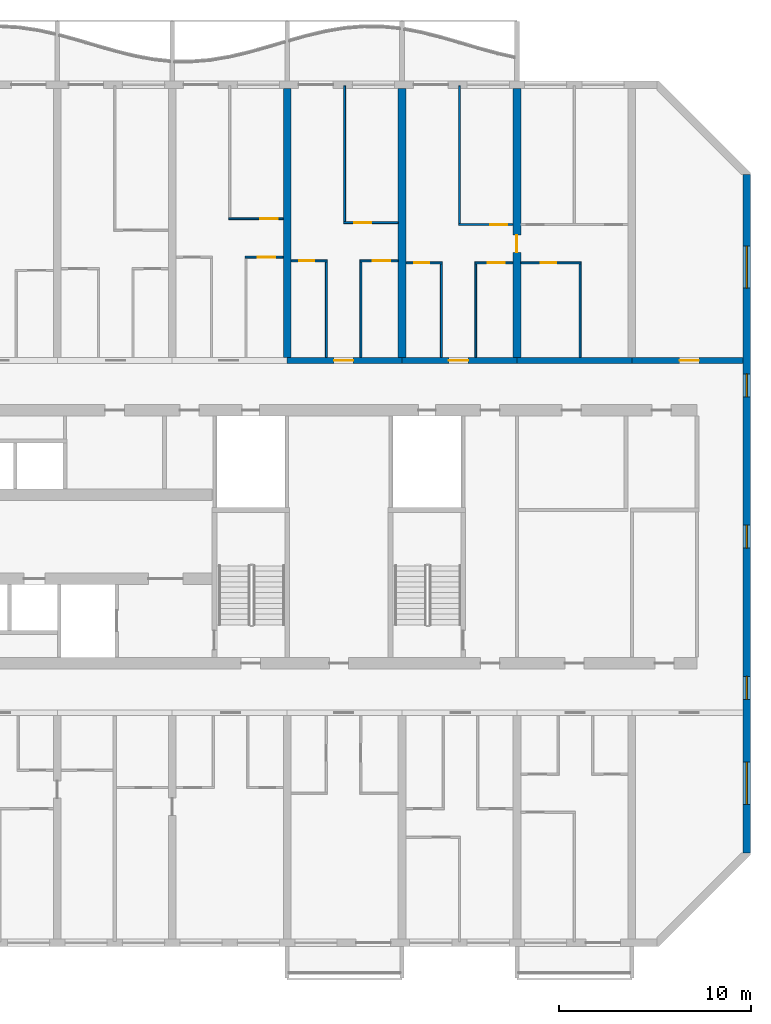
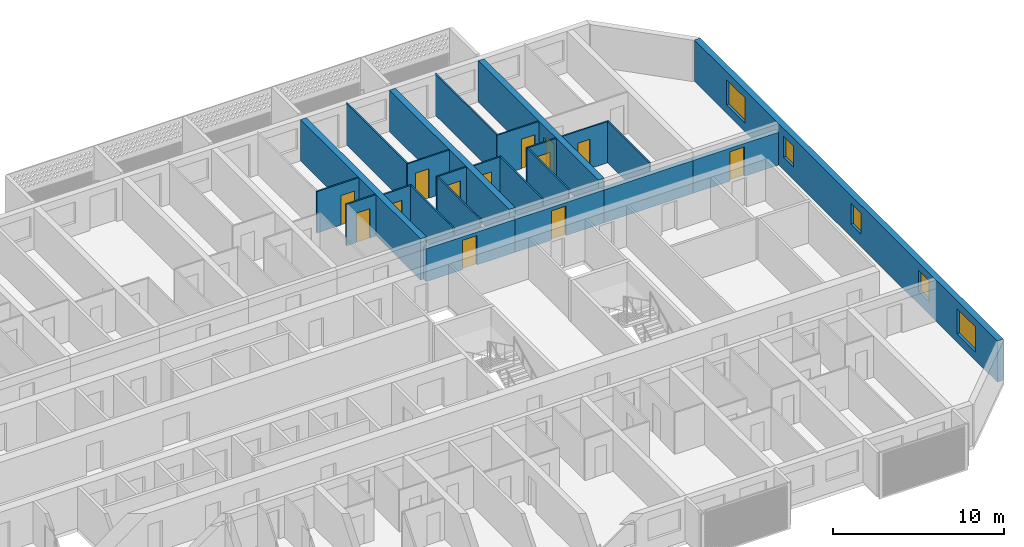
# One storey, part 15 of 39: 24 walls, 13 doors, 5 windows, 18 openings.
"""IFC4 building model written with IfcOpenShell, lengths in metres."""

from ifc_helpers import new_model, si_unit, direction, frame, frame_2d, origin, place, context, subcontext, project, spatial, rectangle, extrude, material, layer, layer_set, type_object, element, fill, save


model = new_model("IFC4")

# Units and contexts
model_context = context("Model", 3, precision=1e-05, world=origin(), true_north=direction((0.0, 1.0)))
body_context = subcontext(model_context, "Body", "Model", "MODEL_VIEW")
ifc_project = project(units=[si_unit("LENGTHUNIT", "METRE"), si_unit("AREAUNIT", "SQUARE_METRE"), si_unit("VOLUMEUNIT", "CUBIC_METRE"), si_unit("PLANEANGLEUNIT", "RADIAN"), si_unit("MASSUNIT", "GRAM", prefix="KILO")], contexts=[model_context])

# Site, building, storey
site_placement = place(None, origin())
site = spatial("IfcSite", under=ifc_project, at=site_placement, CompositionType="ELEMENT")
building_placement = place(site_placement, origin())
building = spatial("IfcBuilding", under=site, at=building_placement, Name="Poui Terraces", CompositionType="ELEMENT")
storey_placement = place(building_placement, frame((0.0, 0.0, 63.0)))
storey = spatial("IfcBuildingStorey", under=building, at=storey_placement, Name="L17", CompositionType="ELEMENT", Elevation=63.0)

# Wall, opening, door
ifc_material_1 = material(Name="Concrete 80 MPa", Category="concrete")
ifc_layer_1 = layer(ifc_material_1, 0.300048828125)
ifc_layer_set_1 = layer_set([ifc_layer_1], Name="Concrete 80 MPa")
wall_type_1 = type_object("IfcWallType", Name="CORRIDOR WALL 300 80MPa", PredefinedType="SHEAR", material=ifc_layer_set_1)
wall_1_placement = place(storey_placement, frame((72.0, 30.39990234375, 0.0), z_axis=(0.0, 0.0, 1.0), x_axis=(1.0, 0.0, 0.0)))
wall_1 = element("IfcWall", 1, at=wall_1_placement, inside=storey, type_object=wall_type_1, Name="CORRIDOR WALL LINE E BAY 12", PredefinedType="SHEAR", context=body_context, shape_type="SweptSolid", body=[
    extrude(rectangle(XDim=6.0, YDim=0.300048828125, at=frame_2d((3.0, 0.0))), origin(), (0.0, 0.0, 1.0), 2.35009765625),
])
opening_1_placement = place(wall_1_placement, frame((2.449951171875, 0.0, 0.0)))
opening_1 = element("IfcOpeningElement", 2, at=opening_1_placement, cuts=wall_1, Name="Opening FD30S", PredefinedType="OPENING", context=body_context, shape_type="SweptSolid", body=[
    extrude(rectangle(XDim=1.0, YDim=2.10009765625, at=frame_2d((0.5, 1.050048828125))), frame((0.0, 0.16015625, 0.0), z_axis=(0.0, -1.0, 0.0), x_axis=(1.0, 0.0, 0.0)), (0.0, 0.0, 1.0), 0.320068359375),
])
ifc_material_2 = material(Name="Steel fire door", Category="steel")
door_type_1 = type_object("IfcDoorType", Name="FLAT ENTRANCE DOOR 1000 X 2100", OperationType="NOTDEFINED", PredefinedType="DOOR", material=ifc_material_2)
door_1_placement = place(opening_1_placement, origin())
door_1 = element("IfcDoor", 3, at=door_1_placement, inside=storey, type_object=door_type_1, Name="FLAT ENTRANCE DOOR 072", OperationType="SINGLE_SWING_LEFT", OverallHeight=2.10009765625, OverallWidth=1.0, PredefinedType="DOOR", context=body_context, shape_type="SweptSolid", body=[
    extrude(rectangle(XDim=1.0, YDim=2.10009765625, at=frame_2d((0.5, 1.050048828125))), frame((0.0, 0.02490234375, 0.0), z_axis=(0.0, -1.0, 0.0), x_axis=(1.0, 0.0, 0.0)), (0.0, 0.0, 1.0), 0.050048828125),
])
fill(opening_1, door_1)

wall_2_placement = place(storey_placement, frame((78.0, 30.39990234375, 0.0), z_axis=(0.0, 0.0, 1.0), x_axis=(1.0, 0.0, 0.0)))
wall_2 = element("IfcWall", 4, at=wall_2_placement, inside=storey, type_object=wall_type_1, Name="CORRIDOR WALL LINE E BAY 13", PredefinedType="SHEAR", context=body_context, shape_type="SweptSolid", body=[
    extrude(rectangle(XDim=6.0, YDim=0.300048828125, at=frame_2d((3.0, 0.0))), origin(), (0.0, 0.0, 1.0), 2.35009765625),
])
opening_2_placement = place(wall_2_placement, frame((2.449951171875, 0.0, 0.0)))
opening_2 = element("IfcOpeningElement", 5, at=opening_2_placement, cuts=wall_2, Name="Opening FD30S", PredefinedType="OPENING", context=body_context, shape_type="SweptSolid", body=[
    extrude(rectangle(XDim=1.0, YDim=2.10009765625, at=frame_2d((0.5, 1.050048828125))), frame((0.0, 0.16015625, 0.0), z_axis=(0.0, -1.0, 0.0), x_axis=(1.0, 0.0, 0.0)), (0.0, 0.0, 1.0), 0.320068359375),
])
door_2_placement = place(opening_2_placement, origin())
door_2 = element("IfcDoor", 6, at=door_2_placement, inside=storey, type_object=door_type_1, Name="FLAT ENTRANCE DOOR 079", OperationType="SINGLE_SWING_LEFT", OverallHeight=2.10009765625, OverallWidth=1.0, PredefinedType="DOOR", context=body_context, shape_type="SweptSolid", body=[
    extrude(rectangle(XDim=1.0, YDim=2.10009765625, at=frame_2d((0.5, 1.050048828125))), frame((0.0, 0.02490234375, 0.0), z_axis=(0.0, -1.0, 0.0), x_axis=(1.0, 0.0, 0.0)), (0.0, 0.0, 1.0), 0.050048828125),
])
fill(opening_2, door_2)

# Wall
wall_3_placement = place(storey_placement, frame((84.0, 30.39990234375, 0.0), z_axis=(0.0, 0.0, 1.0), x_axis=(1.0, 0.0, 0.0)))
element("IfcWall", 7, at=wall_3_placement, inside=storey, type_object=wall_type_1, Name="CORRIDOR WALL LINE E BAY 14", PredefinedType="SHEAR", context=body_context, shape_type="SweptSolid", body=[
    extrude(rectangle(XDim=6.0, YDim=0.300048828125, at=frame_2d((3.0, 0.0))), origin(), (0.0, 0.0, 1.0), 2.35009765625),
])

# Wall, opening, door
wall_4_placement = place(storey_placement, frame((90.0, 30.39990234375, 0.0), z_axis=(0.0, 0.0, 1.0), x_axis=(1.0, 0.0, 0.0)))
wall_4 = element("IfcWall", 8, at=wall_4_placement, inside=storey, type_object=wall_type_1, Name="CORRIDOR WALL LINE E BAY 15", PredefinedType="SHEAR", context=body_context, shape_type="SweptSolid", body=[
    extrude(rectangle(XDim=5.800048828125, YDim=0.300048828125, at=frame_2d((2.89990234375, 0.0))), origin(), (0.0, 0.0, 1.0), 2.35009765625),
])
opening_3_placement = place(wall_4_placement, frame((2.5, 0.0, 0.0)))
opening_3 = element("IfcOpeningElement", 9, at=opening_3_placement, cuts=wall_4, Name="Opening D100", PredefinedType="OPENING", context=body_context, shape_type="SweptSolid", body=[
    extrude(rectangle(XDim=1.0, YDim=2.10009765625, at=frame_2d((0.5, 1.050048828125))), frame((0.0, 0.16015625, 0.0), z_axis=(0.0, -1.0, 0.0), x_axis=(1.0, 0.0, 0.0)), (0.0, 0.0, 1.0), 0.320068359375),
])
ifc_material_3 = material(Name="Solid core timber door", Category="wood")
door_type_2 = type_object("IfcDoorType", Name="ACCESSIBLE INTERNAL DOOR 1000 X 2100", OperationType="NOTDEFINED", PredefinedType="DOOR", material=ifc_material_3)
door_3_placement = place(opening_3_placement, origin())
door_3 = element("IfcDoor", 10, at=door_3_placement, inside=storey, type_object=door_type_2, Name="ACCESSIBLE INTERNAL DOOR 083", OperationType="SINGLE_SWING_LEFT", OverallHeight=2.10009765625, OverallWidth=1.0, PredefinedType="DOOR", context=body_context, shape_type="SweptSolid", body=[
    extrude(rectangle(XDim=1.0, YDim=2.10009765625, at=frame_2d((0.5, 1.050048828125))), frame((0.0, 0.02490234375, 0.0), z_axis=(0.0, -1.0, 0.0), x_axis=(1.0, 0.0, 0.0)), (0.0, 0.0, 1.0), 0.050048828125),
])
fill(opening_3, door_3)

# Walls
ifc_layer_2 = layer(ifc_material_1, 0.39990234375)
ifc_layer_set_2 = layer_set([ifc_layer_2], Name="Concrete 80 MPa")
wall_type_2 = type_object("IfcWallType", Name="CROSS WALL 400 80MPa", PredefinedType="SHEAR", material=ifc_layer_set_2)
for number, where, z_axis, x_axis, name in (
    (11, (72.0, 30.550048828125, 0.0), (0.0, 0.0, 1.0), (0.0, 1.0, 0.0), "CROSS WALL LINE 13 NORTH"),
    (12, (78.0, 30.550048828125, 0.0), (0.0, 0.0, 1.0), (0.0, 1.0, 0.0), "CROSS WALL LINE 14 NORTH"),
):
    element("IfcWall", number, at=place(storey_placement, frame(where, z_axis=z_axis, x_axis=x_axis)), inside=storey, type_object=wall_type_2, Name=name, PredefinedType="SHEAR", context=body_context, shape_type="SweptSolid", body=[
        extrude(rectangle(XDim=14.050048828125, YDim=0.39990234375, at=frame_2d((7.02490234375, 0.0))), origin(), (0.0, 0.0, 1.0), 2.949951171875),
    ])

# Wall, opening, door
wall_5_placement = place(storey_placement, frame((84.0, 30.550048828125, 0.0), z_axis=(0.0, 0.0, 1.0), x_axis=(0.0, 1.0, 0.0)))
wall_5 = element("IfcWall", 13, at=wall_5_placement, inside=storey, type_object=wall_type_2, Name="CROSS WALL LINE 15 NORTH", PredefinedType="SHEAR", context=body_context, shape_type="SweptSolid", body=[
    extrude(rectangle(XDim=14.050048828125, YDim=0.39990234375, at=frame_2d((7.02490234375, 0.0))), origin(), (0.0, 0.0, 1.0), 2.949951171875),
])
opening_4_placement = place(wall_5_placement, frame((5.5, 0.0, 0.0)))
opening_4 = element("IfcOpeningElement", 14, at=opening_4_placement, cuts=wall_5, Name="Opening D90", PredefinedType="OPENING", context=body_context, shape_type="SweptSolid", body=[
    extrude(rectangle(XDim=0.89990234375, YDim=2.10009765625, at=frame_2d((0.449951171875, 1.050048828125))), frame((0.0, 0.2099609375, 0.0), z_axis=(0.0, -1.0, 0.0), x_axis=(1.0, 0.0, 0.0)), (0.0, 0.0, 1.0), 0.419921875),
])
door_type_3 = type_object("IfcDoorType", Name="INTERNAL DOOR 900 X 2100", OperationType="NOTDEFINED", PredefinedType="DOOR", material=ifc_material_3)
door_4_placement = place(opening_4_placement, origin())
door_4 = element("IfcDoor", 15, at=door_4_placement, inside=storey, type_object=door_type_3, Name="INTERNAL DOOR 082", OperationType="SINGLE_SWING_LEFT", OverallHeight=2.10009765625, OverallWidth=0.89990234375, PredefinedType="DOOR", context=body_context, shape_type="SweptSolid", body=[
    extrude(rectangle(XDim=0.89990234375, YDim=2.10009765625, at=frame_2d((0.449951171875, 1.050048828125))), frame((0.0, 0.02490234375, 0.0), z_axis=(0.0, -1.0, 0.0), x_axis=(1.0, 0.0, 0.0)), (0.0, 0.0, 1.0), 0.050048828125),
])
fill(opening_4, door_4)

# Wall, openings, windows
ifc_layer_3 = layer(ifc_material_1, 0.39990234375)
ifc_layer_set_3 = layer_set([ifc_layer_3], Name="Concrete 80 MPa")
wall_type_3 = type_object("IfcWallType", Name="END WALL 400 80MPa", PredefinedType="SHEAR", material=ifc_layer_set_3)
wall_6_placement = place(storey_placement, frame((96.0, 4.682861328125, 0.0), z_axis=(0.0, 0.0, 1.0), x_axis=(0.0, 1.0, 0.0)))
wall_6 = element("IfcWall", 16, at=wall_6_placement, inside=storey, type_object=wall_type_3, Name="END WALL EAST", PredefinedType="SHEAR", context=body_context, shape_type="SweptSolid", body=[
    extrude(rectangle(XDim=35.434326171875, YDim=0.39990234375, at=frame_2d((17.71728515625, 0.0))), origin(), (0.0, 0.0, 1.0), 2.949951171875),
])
opening_5_placement = place(wall_6_placement, frame((15.917236328125, 0.0, 0.89990234375)))
opening_5 = element("IfcOpeningElement", 17, at=opening_5_placement, cuts=wall_6, Name="Opening W2", PredefinedType="OPENING", context=body_context, shape_type="SweptSolid", body=[
    extrude(rectangle(XDim=1.199951171875, YDim=1.5, at=frame_2d((0.60009765625, 0.75))), frame((0.0, 0.2099609375, 0.0), z_axis=(0.0, -1.0, 0.0), x_axis=(1.0, 0.0, 0.0)), (0.0, 0.0, 1.0), 0.419921875),
])
opening_6_placement = place(wall_6_placement, frame((23.817138671875, 0.0, 0.89990234375)))
opening_6 = element("IfcOpeningElement", 18, at=opening_6_placement, cuts=wall_6, Name="Opening W2", PredefinedType="OPENING", context=body_context, shape_type="SweptSolid", body=[
    extrude(rectangle(XDim=1.199951171875, YDim=1.5, at=frame_2d((0.60009765625, 0.75))), frame((0.0, 0.2099609375, 0.0), z_axis=(0.0, -1.0, 0.0), x_axis=(1.0, 0.0, 0.0)), (0.0, 0.0, 1.0), 0.419921875),
])
opening_7_placement = place(wall_6_placement, frame((8.01708984375, 0.0, 0.89990234375)))
opening_7 = element("IfcOpeningElement", 19, at=opening_7_placement, cuts=wall_6, Name="Opening W2", PredefinedType="OPENING", context=body_context, shape_type="SweptSolid", body=[
    extrude(rectangle(XDim=1.199951171875, YDim=1.5, at=frame_2d((0.60009765625, 0.75))), frame((0.0, 0.2099609375, 0.0), z_axis=(0.0, -1.0, 0.0), x_axis=(1.0, 0.0, 0.0)), (0.0, 0.0, 1.0), 0.419921875),
])
opening_8_placement = place(wall_6_placement, frame((29.493408203125, 0.0, 0.60009765625)))
opening_8 = element("IfcOpeningElement", 20, at=opening_8_placement, cuts=wall_6, Name="Opening W3", PredefinedType="OPENING", context=body_context, shape_type="SweptSolid", body=[
    extrude(rectangle(XDim=2.199951171875, YDim=1.800048828125, at=frame_2d((1.10009765625, 0.89990234375))), frame((0.0, 0.2099609375, 0.0), z_axis=(0.0, -1.0, 0.0), x_axis=(1.0, 0.0, 0.0)), (0.0, 0.0, 1.0), 0.419921875),
])
opening_9_placement = place(wall_6_placement, frame((2.541015625, 0.0, 0.60009765625)))
opening_9 = element("IfcOpeningElement", 21, at=opening_9_placement, cuts=wall_6, Name="Opening W3", PredefinedType="OPENING", context=body_context, shape_type="SweptSolid", body=[
    extrude(rectangle(XDim=2.199951171875, YDim=1.800048828125, at=frame_2d((1.10009765625, 0.89990234375))), frame((0.0, 0.2099609375, 0.0), z_axis=(0.0, -1.0, 0.0), x_axis=(1.0, 0.0, 0.0)), (0.0, 0.0, 1.0), 0.419921875),
])
ifc_material_4 = material(Name="Clear glass in aluminium frame", Category="aluminium")
window_type_1 = type_object("IfcWindowType", Name="WINDOW 1200X1500", PartitioningType="SINGLE_PANEL", PredefinedType="WINDOW", material=ifc_material_4)
window_1_placement = place(opening_5_placement, origin())
window_1 = element("IfcWindow", 22, at=window_1_placement, inside=storey, type_object=window_type_1, Name="W2 WINDOW", OverallHeight=1.5, OverallWidth=1.199951171875, PartitioningType="SINGLE_PANEL", PredefinedType="WINDOW", context=body_context, shape_type="SweptSolid", body=[
    extrude(rectangle(XDim=1.199951171875, YDim=1.5, at=frame_2d((0.60009765625, 0.75))), frame((0.0, 0.030029296875, 0.0), z_axis=(0.0, -1.0, 0.0), x_axis=(1.0, 0.0, 0.0)), (0.0, 0.0, 1.0), 0.06005859375),
])
fill(opening_5, window_1)
window_2_placement = place(opening_6_placement, origin())
window_2 = element("IfcWindow", 23, at=window_2_placement, inside=storey, type_object=window_type_1, Name="W2 WINDOW", OverallHeight=1.5, OverallWidth=1.199951171875, PartitioningType="SINGLE_PANEL", PredefinedType="WINDOW", context=body_context, shape_type="SweptSolid", body=[
    extrude(rectangle(XDim=1.199951171875, YDim=1.5, at=frame_2d((0.60009765625, 0.75))), frame((0.0, 0.030029296875, 0.0), z_axis=(0.0, -1.0, 0.0), x_axis=(1.0, 0.0, 0.0)), (0.0, 0.0, 1.0), 0.06005859375),
])
fill(opening_6, window_2)
window_3_placement = place(opening_7_placement, origin())
window_3 = element("IfcWindow", 24, at=window_3_placement, inside=storey, type_object=window_type_1, Name="W2 WINDOW", OverallHeight=1.5, OverallWidth=1.199951171875, PartitioningType="SINGLE_PANEL", PredefinedType="WINDOW", context=body_context, shape_type="SweptSolid", body=[
    extrude(rectangle(XDim=1.199951171875, YDim=1.5, at=frame_2d((0.60009765625, 0.75))), frame((0.0, 0.030029296875, 0.0), z_axis=(0.0, -1.0, 0.0), x_axis=(1.0, 0.0, 0.0)), (0.0, 0.0, 1.0), 0.06005859375),
])
fill(opening_7, window_3)
window_type_2 = type_object("IfcWindowType", Name="WINDOW 2200X1800", PartitioningType="DOUBLE_PANEL_HORIZONTAL", PredefinedType="WINDOW", material=ifc_material_4)
window_4_placement = place(opening_8_placement, origin())
window_4 = element("IfcWindow", 25, at=window_4_placement, inside=storey, type_object=window_type_2, Name="W3 WINDOW", OverallHeight=1.800048828125, OverallWidth=2.199951171875, PartitioningType="DOUBLE_PANEL_HORIZONTAL", PredefinedType="WINDOW", context=body_context, shape_type="SweptSolid", body=[
    extrude(rectangle(XDim=2.199951171875, YDim=1.800048828125, at=frame_2d((1.10009765625, 0.89990234375))), frame((0.0, 0.030029296875, 0.0), z_axis=(0.0, -1.0, 0.0), x_axis=(1.0, 0.0, 0.0)), (0.0, 0.0, 1.0), 0.06005859375),
])
fill(opening_8, window_4)
window_5_placement = place(opening_9_placement, origin())
window_5 = element("IfcWindow", 26, at=window_5_placement, inside=storey, type_object=window_type_2, Name="W3 WINDOW", OverallHeight=1.800048828125, OverallWidth=2.199951171875, PartitioningType="DOUBLE_PANEL_HORIZONTAL", PredefinedType="WINDOW", context=body_context, shape_type="SweptSolid", body=[
    extrude(rectangle(XDim=2.199951171875, YDim=1.800048828125, at=frame_2d((1.10009765625, 0.89990234375))), frame((0.0, 0.030029296875, 0.0), z_axis=(0.0, -1.0, 0.0), x_axis=(1.0, 0.0, 0.0)), (0.0, 0.0, 1.0), 0.06005859375),
])
fill(opening_9, window_5)

# Wall, opening, door
ifc_material_5 = material(Name="Plasterboard partition")
ifc_layer_4 = layer(ifc_material_5, 0.10009765625)
ifc_layer_set_4 = layer_set([ifc_layer_4], Name="Plasterboard partition")
wall_type_4 = type_object("IfcWallType", Name="FLAT PARTITION 100", PredefinedType="PARTITIONING", material=ifc_layer_set_4)
wall_7_placement = place(storey_placement, frame((78.2099609375, 35.5, 0.0), z_axis=(0.0, 0.0, 1.0), x_axis=(1.0, 0.0, 0.0)))
wall_7 = element("IfcWall", 27, at=wall_7_placement, inside=storey, type_object=wall_type_4, Name="FLAT PARTITION 100", PredefinedType="PARTITIONING", context=body_context, shape_type="SweptSolid", body=[
    extrude(rectangle(XDim=1.89013671875, YDim=0.10009765625, at=frame_2d((0.945068359375, 0.0))), origin(), (0.0, 0.0, 1.0), 2.949951171875),
])
opening_10_placement = place(wall_7_placement, frame((0.4150390625, 0.0, 0.0)))
opening_10 = element("IfcOpeningElement", 28, at=opening_10_placement, cuts=wall_7, Name="Opening D80", PredefinedType="OPENING", context=body_context, shape_type="SweptSolid", body=[
    extrude(rectangle(XDim=0.800048828125, YDim=2.10009765625, at=frame_2d((0.39990234375, 1.050048828125))), frame((0.0, 0.06005859375, 0.0), z_axis=(0.0, -1.0, 0.0), x_axis=(1.0, 0.0, 0.0)), (0.0, 0.0, 1.0), 0.1201171875),
])
door_type_4 = type_object("IfcDoorType", Name="BATHROOM, LAUNDRY AND STORE DOOR 800 X 2100", OperationType="NOTDEFINED", PredefinedType="DOOR", material=ifc_material_3)
door_5_placement = place(opening_10_placement, frame((0.800048828125, 0.0, 0.0), z_axis=(0.0, 0.0, 1.0), x_axis=(-1.0, 0.0, 0.0)))
door_5 = element("IfcDoor", 29, at=door_5_placement, inside=storey, type_object=door_type_4, Name="BATHROOM, LAUNDRY AND STORE DOOR 078", OperationType="SINGLE_SWING_RIGHT", OverallHeight=2.10009765625, OverallWidth=0.800048828125, PredefinedType="DOOR", context=body_context, shape_type="SweptSolid", body=[
    extrude(rectangle(XDim=0.800048828125, YDim=2.10009765625, at=frame_2d((0.39990234375, 1.050048828125))), frame((0.0, 0.02490234375, 0.0), z_axis=(0.0, -1.0, 0.0), x_axis=(1.0, 0.0, 0.0)), (0.0, 0.0, 1.0), 0.050048828125),
])
fill(opening_10, door_5)

wall_8_placement = place(storey_placement, frame((81.800048828125, 35.5, 0.0), z_axis=(0.0, 0.0, 1.0), x_axis=(1.0, 0.0, 0.0)))
wall_8 = element("IfcWall", 30, at=wall_8_placement, inside=storey, type_object=wall_type_4, Name="FLAT PARTITION 100", PredefinedType="PARTITIONING", context=body_context, shape_type="SweptSolid", body=[
    extrude(rectangle(XDim=1.989990234375, YDim=0.10009765625, at=frame_2d((0.9951171875, 0.0))), origin(), (0.0, 0.0, 1.0), 2.949951171875),
])
opening_11_placement = place(wall_8_placement, frame((0.675048828125, 0.0, 0.0)))
opening_11 = element("IfcOpeningElement", 31, at=opening_11_placement, cuts=wall_8, Name="Opening D90", PredefinedType="OPENING", context=body_context, shape_type="SweptSolid", body=[
    extrude(rectangle(XDim=0.89990234375, YDim=2.10009765625, at=frame_2d((0.449951171875, 1.050048828125))), frame((0.0, 0.06005859375, 0.0), z_axis=(0.0, -1.0, 0.0), x_axis=(1.0, 0.0, 0.0)), (0.0, 0.0, 1.0), 0.1201171875),
])
door_6_placement = place(opening_11_placement, frame((0.89990234375, 0.0, 0.0), z_axis=(0.0, 0.0, 1.0), x_axis=(-1.0, 0.0, 0.0)))
door_6 = element("IfcDoor", 32, at=door_6_placement, inside=storey, type_object=door_type_3, Name="INTERNAL DOOR 080", OperationType="SINGLE_SWING_LEFT", OverallHeight=2.10009765625, OverallWidth=0.89990234375, PredefinedType="DOOR", context=body_context, shape_type="SweptSolid", body=[
    extrude(rectangle(XDim=0.89990234375, YDim=2.10009765625, at=frame_2d((0.449951171875, 1.050048828125))), frame((0.0, 0.02490234375, 0.0), z_axis=(0.0, -1.0, 0.0), x_axis=(1.0, 0.0, 0.0)), (0.0, 0.0, 1.0), 0.050048828125),
])
fill(opening_11, door_6)

wall_9_placement = place(storey_placement, frame((84.2099609375, 35.5, 0.0), z_axis=(0.0, 0.0, 1.0), x_axis=(1.0, 0.0, 0.0)))
wall_9 = element("IfcWall", 33, at=wall_9_placement, inside=storey, type_object=wall_type_4, Name="FLAT PARTITION 100", PredefinedType="PARTITIONING", context=body_context, shape_type="SweptSolid", body=[
    extrude(rectangle(XDim=3.14013671875, YDim=0.10009765625, at=frame_2d((1.570068359375, 0.0))), origin(), (0.0, 0.0, 1.0), 2.949951171875),
])
opening_12_placement = place(wall_9_placement, frame((1.0400390625, 0.0, 0.0)))
opening_12 = element("IfcOpeningElement", 34, at=opening_12_placement, cuts=wall_9, Name="Opening D80", PredefinedType="OPENING", context=body_context, shape_type="SweptSolid", body=[
    extrude(rectangle(XDim=0.800048828125, YDim=2.10009765625, at=frame_2d((0.39990234375, 1.050048828125))), frame((0.0, 0.06005859375, 0.0), z_axis=(0.0, -1.0, 0.0), x_axis=(1.0, 0.0, 0.0)), (0.0, 0.0, 1.0), 0.1201171875),
])
door_7_placement = place(opening_12_placement, origin())
door_7 = element("IfcDoor", 35, at=door_7_placement, inside=storey, type_object=door_type_4, Name="BATHROOM, LAUNDRY AND STORE DOOR 076", OperationType="SINGLE_SWING_RIGHT", OverallHeight=2.10009765625, OverallWidth=0.800048828125, PredefinedType="DOOR", context=body_context, shape_type="SweptSolid", body=[
    extrude(rectangle(XDim=0.800048828125, YDim=2.10009765625, at=frame_2d((0.39990234375, 1.050048828125))), frame((0.0, 0.02490234375, 0.0), z_axis=(0.0, -1.0, 0.0), x_axis=(1.0, 0.0, 0.0)), (0.0, 0.0, 1.0), 0.050048828125),
])
fill(opening_12, door_7)

wall_10_placement = place(storey_placement, frame((72.2099609375, 35.60009765625, 0.0), z_axis=(0.0, 0.0, 1.0), x_axis=(1.0, 0.0, 0.0)))
wall_10 = element("IfcWall", 36, at=wall_10_placement, inside=storey, type_object=wall_type_4, Name="FLAT PARTITION 100", PredefinedType="PARTITIONING", context=body_context, shape_type="SweptSolid", body=[
    extrude(rectangle(XDim=1.89013671875, YDim=0.10009765625, at=frame_2d((0.945068359375, 0.0))), origin(), (0.0, 0.0, 1.0), 2.949951171875),
])
opening_13_placement = place(wall_10_placement, frame((0.4150390625, 0.0, 0.0)))
opening_13 = element("IfcOpeningElement", 37, at=opening_13_placement, cuts=wall_10, Name="Opening D80", PredefinedType="OPENING", context=body_context, shape_type="SweptSolid", body=[
    extrude(rectangle(XDim=0.800048828125, YDim=2.10009765625, at=frame_2d((0.39990234375, 1.050048828125))), frame((0.0, 0.06005859375, 0.0), z_axis=(0.0, -1.0, 0.0), x_axis=(1.0, 0.0, 0.0)), (0.0, 0.0, 1.0), 0.1201171875),
])
door_8_placement = place(opening_13_placement, frame((0.800048828125, 0.0, 0.0), z_axis=(0.0, 0.0, 1.0), x_axis=(-1.0, 0.0, 0.0)))
door_8 = element("IfcDoor", 38, at=door_8_placement, inside=storey, type_object=door_type_4, Name="BATHROOM, LAUNDRY AND STORE DOOR 071", OperationType="SINGLE_SWING_LEFT", OverallHeight=2.10009765625, OverallWidth=0.800048828125, PredefinedType="DOOR", context=body_context, shape_type="SweptSolid", body=[
    extrude(rectangle(XDim=0.800048828125, YDim=2.10009765625, at=frame_2d((0.39990234375, 1.050048828125))), frame((0.0, 0.02490234375, 0.0), z_axis=(0.0, -1.0, 0.0), x_axis=(1.0, 0.0, 0.0)), (0.0, 0.0, 1.0), 0.050048828125),
])
fill(opening_13, door_8)

wall_11_placement = place(storey_placement, frame((75.800048828125, 35.60009765625, 0.0), z_axis=(0.0, 0.0, 1.0), x_axis=(1.0, 0.0, 0.0)))
wall_11 = element("IfcWall", 39, at=wall_11_placement, inside=storey, type_object=wall_type_4, Name="FLAT PARTITION 100", PredefinedType="PARTITIONING", context=body_context, shape_type="SweptSolid", body=[
    extrude(rectangle(XDim=1.989990234375, YDim=0.10009765625, at=frame_2d((0.9951171875, 0.0))), origin(), (0.0, 0.0, 1.0), 2.949951171875),
])
opening_14_placement = place(wall_11_placement, frame((0.675048828125, 0.0, 0.0)))
opening_14 = element("IfcOpeningElement", 40, at=opening_14_placement, cuts=wall_11, Name="Opening D90", PredefinedType="OPENING", context=body_context, shape_type="SweptSolid", body=[
    extrude(rectangle(XDim=0.89990234375, YDim=2.10009765625, at=frame_2d((0.449951171875, 1.050048828125))), frame((0.0, 0.06005859375, 0.0), z_axis=(0.0, -1.0, 0.0), x_axis=(1.0, 0.0, 0.0)), (0.0, 0.0, 1.0), 0.1201171875),
])
door_9_placement = place(opening_14_placement, frame((0.89990234375, 0.0, 0.0), z_axis=(0.0, 0.0, 1.0), x_axis=(-1.0, 0.0, 0.0)))
door_9 = element("IfcDoor", 41, at=door_9_placement, inside=storey, type_object=door_type_3, Name="INTERNAL DOOR 074", OperationType="SINGLE_SWING_RIGHT", OverallHeight=2.10009765625, OverallWidth=0.89990234375, PredefinedType="DOOR", context=body_context, shape_type="SweptSolid", body=[
    extrude(rectangle(XDim=0.89990234375, YDim=2.10009765625, at=frame_2d((0.449951171875, 1.050048828125))), frame((0.0, 0.02490234375, 0.0), z_axis=(0.0, -1.0, 0.0), x_axis=(1.0, 0.0, 0.0)), (0.0, 0.0, 1.0), 0.050048828125),
])
fill(opening_14, door_9)

wall_12_placement = place(storey_placement, frame((69.800048828125, 35.800048828125, 0.0), z_axis=(0.0, 0.0, 1.0), x_axis=(1.0, 0.0, 0.0)))
wall_12 = element("IfcWall", 42, at=wall_12_placement, inside=storey, type_object=wall_type_4, Name="FLAT PARTITION 100", PredefinedType="PARTITIONING", context=body_context, shape_type="SweptSolid", body=[
    extrude(rectangle(XDim=1.989990234375, YDim=0.10009765625, at=frame_2d((0.9951171875, 0.0))), origin(), (0.0, 0.0, 1.0), 2.949951171875),
])
opening_15_placement = place(wall_12_placement, frame((0.675048828125, 0.0, 0.0)))
opening_15 = element("IfcOpeningElement", 43, at=opening_15_placement, cuts=wall_12, Name="Opening D90", PredefinedType="OPENING", context=body_context, shape_type="SweptSolid", body=[
    extrude(rectangle(XDim=0.89990234375, YDim=2.10009765625, at=frame_2d((0.449951171875, 1.050048828125))), frame((0.0, 0.06005859375, 0.0), z_axis=(0.0, -1.0, 0.0), x_axis=(1.0, 0.0, 0.0)), (0.0, 0.0, 1.0), 0.1201171875),
])
door_10_placement = place(opening_15_placement, frame((0.89990234375, 0.0, 0.0), z_axis=(0.0, 0.0, 1.0), x_axis=(-1.0, 0.0, 0.0)))
door_10 = element("IfcDoor", 44, at=door_10_placement, inside=storey, type_object=door_type_3, Name="INTERNAL DOOR 069", OperationType="SINGLE_SWING_LEFT", OverallHeight=2.10009765625, OverallWidth=0.89990234375, PredefinedType="DOOR", context=body_context, shape_type="SweptSolid", body=[
    extrude(rectangle(XDim=0.89990234375, YDim=2.10009765625, at=frame_2d((0.449951171875, 1.050048828125))), frame((0.0, 0.02490234375, 0.0), z_axis=(0.0, -1.0, 0.0), x_axis=(1.0, 0.0, 0.0)), (0.0, 0.0, 1.0), 0.050048828125),
])
fill(opening_15, door_10)

wall_13_placement = place(storey_placement, frame((80.949951171875, 37.5, 0.0), z_axis=(0.0, 0.0, 1.0), x_axis=(1.0, 0.0, 0.0)))
wall_13 = element("IfcWall", 45, at=wall_13_placement, inside=storey, type_object=wall_type_4, Name="FLAT PARTITION 100", PredefinedType="PARTITIONING", context=body_context, shape_type="SweptSolid", body=[
    extrude(rectangle(XDim=2.840087890625, YDim=0.10009765625, at=frame_2d((1.419921875, 0.0))), origin(), (0.0, 0.0, 1.0), 2.949951171875),
])
opening_16_placement = place(wall_13_placement, frame((1.64990234375, 0.0, 0.0)))
opening_16 = element("IfcOpeningElement", 46, at=opening_16_placement, cuts=wall_13, Name="Opening D90", PredefinedType="OPENING", context=body_context, shape_type="SweptSolid", body=[
    extrude(rectangle(XDim=0.89990234375, YDim=2.10009765625, at=frame_2d((0.449951171875, 1.050048828125))), frame((0.0, 0.06005859375, 0.0), z_axis=(0.0, -1.0, 0.0), x_axis=(1.0, 0.0, 0.0)), (0.0, 0.0, 1.0), 0.1201171875),
])
door_11_placement = place(opening_16_placement, frame((0.89990234375, 0.0, 0.0), z_axis=(0.0, 0.0, 1.0), x_axis=(-1.0, 0.0, 0.0)))
door_11 = element("IfcDoor", 47, at=door_11_placement, inside=storey, type_object=door_type_3, Name="INTERNAL DOOR 081", OperationType="SINGLE_SWING_RIGHT", OverallHeight=2.10009765625, OverallWidth=0.89990234375, PredefinedType="DOOR", context=body_context, shape_type="SweptSolid", body=[
    extrude(rectangle(XDim=0.89990234375, YDim=2.10009765625, at=frame_2d((0.449951171875, 1.050048828125))), frame((0.0, 0.02490234375, 0.0), z_axis=(0.0, -1.0, 0.0), x_axis=(1.0, 0.0, 0.0)), (0.0, 0.0, 1.0), 0.050048828125),
])
fill(opening_16, door_11)

wall_14_placement = place(storey_placement, frame((74.949951171875, 37.60009765625, 0.0), z_axis=(0.0, 0.0, 1.0), x_axis=(1.0, 0.0, 0.0)))
wall_14 = element("IfcWall", 48, at=wall_14_placement, inside=storey, type_object=wall_type_4, Name="FLAT PARTITION 100", PredefinedType="PARTITIONING", context=body_context, shape_type="SweptSolid", body=[
    extrude(rectangle(XDim=2.840087890625, YDim=0.10009765625, at=frame_2d((1.419921875, 0.0))), origin(), (0.0, 0.0, 1.0), 2.949951171875),
])
opening_17_placement = place(wall_14_placement, frame((0.550048828125, 0.0, 0.0)))
opening_17 = element("IfcOpeningElement", 49, at=opening_17_placement, cuts=wall_14, Name="Opening D90", PredefinedType="OPENING", context=body_context, shape_type="SweptSolid", body=[
    extrude(rectangle(XDim=0.89990234375, YDim=2.10009765625, at=frame_2d((0.449951171875, 1.050048828125))), frame((0.0, 0.06005859375, 0.0), z_axis=(0.0, -1.0, 0.0), x_axis=(1.0, 0.0, 0.0)), (0.0, 0.0, 1.0), 0.1201171875),
])
door_12_placement = place(opening_17_placement, frame((0.89990234375, 0.0, 0.0), z_axis=(0.0, 0.0, 1.0), x_axis=(-1.0, 0.0, 0.0)))
door_12 = element("IfcDoor", 50, at=door_12_placement, inside=storey, type_object=door_type_3, Name="INTERNAL DOOR 073", OperationType="SINGLE_SWING_LEFT", OverallHeight=2.10009765625, OverallWidth=0.89990234375, PredefinedType="DOOR", context=body_context, shape_type="SweptSolid", body=[
    extrude(rectangle(XDim=0.89990234375, YDim=2.10009765625, at=frame_2d((0.449951171875, 1.050048828125))), frame((0.0, 0.02490234375, 0.0), z_axis=(0.0, -1.0, 0.0), x_axis=(1.0, 0.0, 0.0)), (0.0, 0.0, 1.0), 0.050048828125),
])
fill(opening_17, door_12)

wall_15_placement = place(storey_placement, frame((68.949951171875, 37.800048828125, 0.0), z_axis=(0.0, 0.0, 1.0), x_axis=(1.0, 0.0, 0.0)))
wall_15 = element("IfcWall", 51, at=wall_15_placement, inside=storey, type_object=wall_type_4, Name="FLAT PARTITION 100", PredefinedType="PARTITIONING", context=body_context, shape_type="SweptSolid", body=[
    extrude(rectangle(XDim=2.840087890625, YDim=0.10009765625, at=frame_2d((1.419921875, 0.0))), origin(), (0.0, 0.0, 1.0), 2.949951171875),
])
opening_18_placement = place(wall_15_placement, frame((1.64990234375, 0.0, 0.0)))
opening_18 = element("IfcOpeningElement", 52, at=opening_18_placement, cuts=wall_15, Name="Opening D90", PredefinedType="OPENING", context=body_context, shape_type="SweptSolid", body=[
    extrude(rectangle(XDim=0.89990234375, YDim=2.10009765625, at=frame_2d((0.449951171875, 1.050048828125))), frame((0.0, 0.06005859375, 0.0), z_axis=(0.0, -1.0, 0.0), x_axis=(1.0, 0.0, 0.0)), (0.0, 0.0, 1.0), 0.1201171875),
])
door_13_placement = place(opening_18_placement, frame((0.89990234375, 0.0, 0.0), z_axis=(0.0, 0.0, 1.0), x_axis=(-1.0, 0.0, 0.0)))
door_13 = element("IfcDoor", 53, at=door_13_placement, inside=storey, type_object=door_type_3, Name="INTERNAL DOOR 070", OperationType="SINGLE_SWING_RIGHT", OverallHeight=2.10009765625, OverallWidth=0.89990234375, PredefinedType="DOOR", context=body_context, shape_type="SweptSolid", body=[
    extrude(rectangle(XDim=0.89990234375, YDim=2.10009765625, at=frame_2d((0.449951171875, 1.050048828125))), frame((0.0, 0.02490234375, 0.0), z_axis=(0.0, -1.0, 0.0), x_axis=(1.0, 0.0, 0.0)), (0.0, 0.0, 1.0), 0.050048828125),
])
fill(opening_18, door_13)

# Walls
wall_16_placement = place(storey_placement, frame((74.050048828125, 30.56005859375, 0.0), z_axis=(0.0, 0.0, 1.0), x_axis=(0.0, 1.0, 0.0)))
element("IfcWall", 54, at=wall_16_placement, inside=storey, type_object=wall_type_4, Name="FLAT PARTITION 100", PredefinedType="PARTITIONING", context=body_context, shape_type="SweptSolid", body=[
    extrude(rectangle(XDim=4.989990234375, YDim=0.10009765625, at=frame_2d((2.4951171875, 0.0))), origin(), (0.0, 0.0, 1.0), 2.949951171875),
])
wall_17_placement = place(storey_placement, frame((75.0, 37.64990234375, 0.0), z_axis=(0.0, 0.0, 1.0), x_axis=(0.0, 1.0, 0.0)))
element("IfcWall", 55, at=wall_17_placement, inside=storey, type_object=wall_type_4, Name="FLAT PARTITION 100", PredefinedType="PARTITIONING", context=body_context, shape_type="SweptSolid", body=[
    extrude(rectangle(XDim=7.090087890625, YDim=0.10009765625, at=frame_2d((3.544921875, 0.0))), origin(), (0.0, 0.0, 1.0), 2.949951171875),
])
wall_18_placement = place(storey_placement, frame((75.85009765625, 30.56005859375, 0.0), z_axis=(0.0, 0.0, 1.0), x_axis=(0.0, 1.0, 0.0)))
element("IfcWall", 56, at=wall_18_placement, inside=storey, type_object=wall_type_4, Name="FLAT PARTITION 100", PredefinedType="PARTITIONING", context=body_context, shape_type="SweptSolid", body=[
    extrude(rectangle(XDim=4.989990234375, YDim=0.10009765625, at=frame_2d((2.4951171875, 0.0))), origin(), (0.0, 0.0, 1.0), 2.949951171875),
])
wall_19_placement = place(storey_placement, frame((80.050048828125, 30.56005859375, 0.0), z_axis=(0.0, 0.0, 1.0), x_axis=(0.0, 1.0, 0.0)))
element("IfcWall", 57, at=wall_19_placement, inside=storey, type_object=wall_type_4, Name="FLAT PARTITION 100", PredefinedType="PARTITIONING", context=body_context, shape_type="SweptSolid", body=[
    extrude(rectangle(XDim=4.889892578125, YDim=0.10009765625, at=frame_2d((2.44482421875, 0.0))), origin(), (0.0, 0.0, 1.0), 2.949951171875),
])
wall_20_placement = place(storey_placement, frame((81.0, 37.550048828125, 0.0), z_axis=(0.0, 0.0, 1.0), x_axis=(0.0, 1.0, 0.0)))
element("IfcWall", 58, at=wall_20_placement, inside=storey, type_object=wall_type_4, Name="FLAT PARTITION 100", PredefinedType="PARTITIONING", context=body_context, shape_type="SweptSolid", body=[
    extrude(rectangle(XDim=7.18994140625, YDim=0.10009765625, at=frame_2d((3.594970703125, 0.0))), origin(), (0.0, 0.0, 1.0), 2.949951171875),
])
for number, where, z_axis, x_axis, name in (
    (59, (81.85009765625, 30.56005859375, 0.0), (0.0, 0.0, 1.0), (0.0, 1.0, 0.0), "FLAT PARTITION 100"),
    (60, (87.300048828125, 30.56005859375, 0.0), (0.0, 0.0, 1.0), (0.0, 1.0, 0.0), "FLAT PARTITION 100"),
):
    element("IfcWall", number, at=place(storey_placement, frame(where, z_axis=z_axis, x_axis=x_axis)), inside=storey, type_object=wall_type_4, Name=name, PredefinedType="PARTITIONING", context=body_context, shape_type="SweptSolid", body=[
        extrude(rectangle(XDim=4.889892578125, YDim=0.10009765625, at=frame_2d((2.44482421875, 0.0))), origin(), (0.0, 0.0, 1.0), 2.949951171875),
    ])

save(model, "model.ifc")
